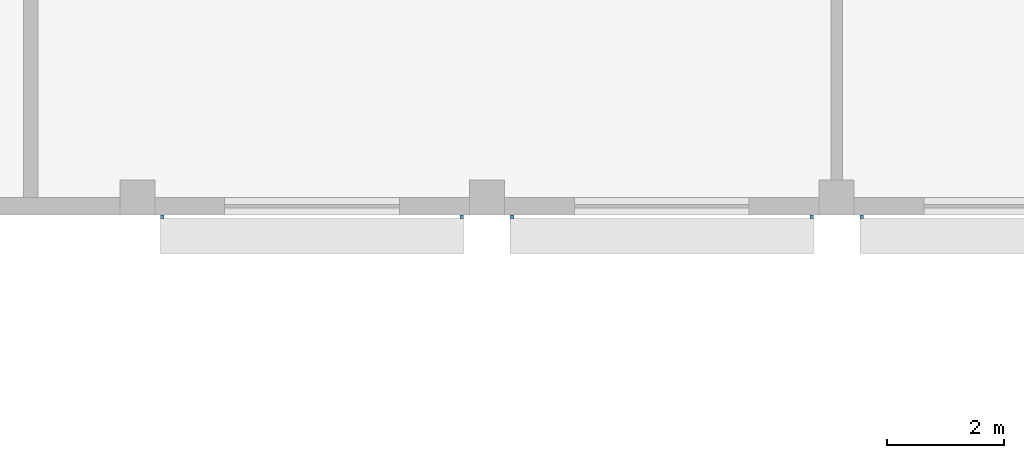
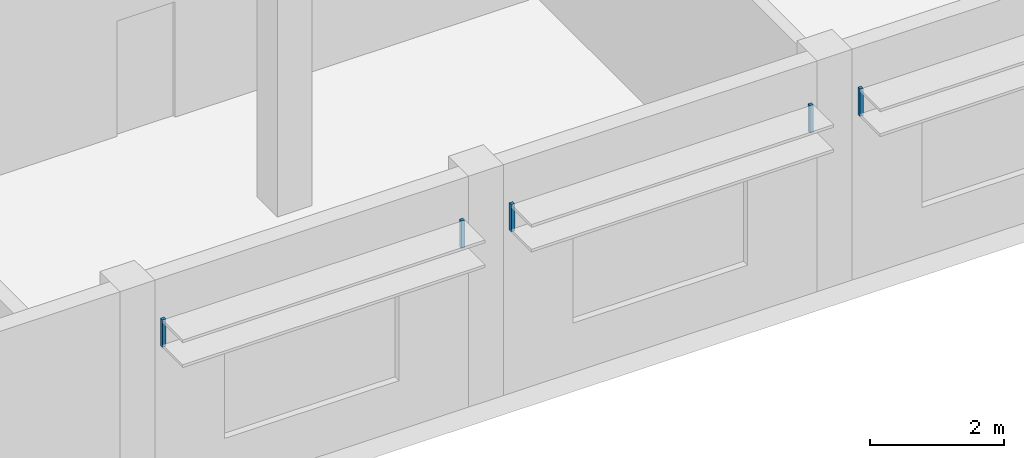
# One storey, part 27 of 45: 5 discrete accessories.
"""IFC4 building model written with IfcOpenShell, lengths in metres."""

import ifcopenshell
import ifcopenshell.guid

model = None  # the IFC model being written
_history = None  # IfcOwnerHistory: only IFC2X3 demands one
_inside = {}  # id of a spatial element -> (the spatial element, [elements in it])
_under = {}  # id of a project, library or spatial element -> (it, [spatial elements below it])
_declared = {}  # id of a project -> (the project, [libraries it declares])
_typed = {}  # id of a type object -> (the type object, [elements of that type])
_made_of = {}  # id of a material, layer set ... -> (it, [elements and type objects made of it])


def new_model(schema):
    """Start an empty IFC model of exactly this schema.

    Asked for "IFC4X3", IfcOpenShell would pick the latest addendum, in which some entities
    have other attributes; the version numbers below select the first issue.
    IFC2X3 requires an IfcOwnerHistory on every rooted entity: one is made here for all.
    """
    global model, _history
    if schema == "IFC4X3":
        model = ifcopenshell.file(schema_version=(4, 3, 0, 0))
    else:
        model = ifcopenshell.file(schema=schema)
    _inside.clear()
    _under.clear()
    _declared.clear()
    _typed.clear()
    _made_of.clear()
    _history = None
    if model.schema == "IFC2X3":
        org = make("IfcOrganization", Name="unknown")
        user = make(
            "IfcPersonAndOrganization",
            ThePerson=make("IfcPerson", FamilyName="unknown"),
            TheOrganization=org,
        )
        app = make(
            "IfcApplication",
            ApplicationDeveloper=org,
            Version="unknown",
            ApplicationFullName="unknown",
            ApplicationIdentifier="unknown",
        )
        _history = make(
            "IfcOwnerHistory",
            OwningUser=user,
            OwningApplication=app,
            ChangeAction="ADDED",
            CreationDate=0,
        )
    return model


def make(cls, **values):
    """One entity of the class cls with the attributes given. An attribute that is None is left unset."""
    return model.create_entity(
        cls, **{name: value for name, value in values.items() if value is not None}
    )


def rooted(cls, **values):
    """An entity with a GlobalId (a new one), such as an element, a storey or a relation."""
    return make(cls, GlobalId=ifcopenshell.guid.new(), OwnerHistory=_history, **values)


def si_unit(unit_type, name, prefix=None):
    """IfcSIUnit, for example si_unit("LENGTHUNIT", "METRE", prefix="MILLI")."""
    return make("IfcSIUnit", UnitType=unit_type, Prefix=prefix, Name=name)


def assignment(units):
    """IfcUnitAssignment: the units of a project."""
    return None if units is None else make("IfcUnitAssignment", Units=units)


def point(xyz):
    """IfcCartesianPoint."""
    return None if xyz is None else make("IfcCartesianPoint", Coordinates=xyz)


def direction(xyz):
    """IfcDirection."""
    return None if xyz is None else make("IfcDirection", DirectionRatios=xyz)


def frame(location, z_axis=None, x_axis=None):
    """IfcAxis2Placement3D, a coordinate frame: its origin and axes. An axis left out is left unset."""
    return make(
        "IfcAxis2Placement3D",
        Location=point(location),
        Axis=direction(z_axis),
        RefDirection=direction(x_axis),
    )


def frame_2d(location, x_axis=None):
    """IfcAxis2Placement2D, a coordinate frame in the plane: its origin and x axis."""
    return make(
        "IfcAxis2Placement2D", Location=point(location), RefDirection=direction(x_axis)
    )


def origin():
    """The frame at (0, 0, 0) with its axes left unset."""
    return frame((0.0, 0.0, 0.0))


def origin_2d():
    """The frame at (0, 0) in the plane with its x axis left unset."""
    return frame_2d((0.0, 0.0))


def place(relative_to, where):
    """IfcLocalPlacement: puts the frame where relative to a parent placement (None: the world)."""
    return make(
        "IfcLocalPlacement", PlacementRelTo=relative_to, RelativePlacement=where
    )


def context(
    kind, dimensions, precision=None, world=None, true_north=None, identifier=None
):
    """IfcGeometricRepresentationContext, for example the 3D "Model" context."""
    return make(
        "IfcGeometricRepresentationContext",
        ContextIdentifier=identifier,
        ContextType=kind,
        CoordinateSpaceDimension=dimensions,
        Precision=precision,
        WorldCoordinateSystem=world,
        TrueNorth=true_north,
    )


def subcontext(parent, identifier, kind, view, scale=None):
    """IfcGeometricRepresentationSubContext, for example "Body" below "Model"."""
    return make(
        "IfcGeometricRepresentationSubContext",
        ContextIdentifier=identifier,
        ContextType=kind,
        ParentContext=parent,
        TargetScale=scale,
        TargetView=view,
    )


def project(units=None, contexts=None):
    """IfcProject with its units and contexts."""
    return rooted(
        "IfcProject",
        Name="project",
        RepresentationContexts=contexts,
        UnitsInContext=assignment(units),
    )


def spatial(cls, under=None, at=None, **own):
    """A site, building, storey or space (cls), placed at a placement, below another one or the project."""
    s = rooted(cls, ObjectPlacement=at, **own)
    if under is not None:
        _under.setdefault(under.id(), (under, []))[1].append(s)
    return s


def profile(cls, at=None, kind="AREA", **sizes):
    """A parametric profile (cls). Its sizes go by their IFC names, for example OverallWidth=200.0."""
    return make(cls, ProfileType=kind, Position=at, **sizes)


def rectangle(**sizes):
    """IfcRectangleProfileDef."""
    return profile("IfcRectangleProfileDef", **sizes)


def extrude(swept, where, along, depth):
    """IfcExtrudedAreaSolid: the profile swept, set in the frame where, extruded along a direction by depth."""
    return make(
        "IfcExtrudedAreaSolid",
        SweptArea=swept,
        Position=where,
        ExtrudedDirection=direction(along),
        Depth=depth,
    )


def shape(context_of_items, identifier, shape_type, items):
    """IfcShapeRepresentation: the items that make up one representation, for example the "Body"."""
    return make(
        "IfcShapeRepresentation",
        ContextOfItems=context_of_items,
        RepresentationIdentifier=identifier,
        RepresentationType=shape_type,
        Items=items,
    )


def material(Name=None, Category=None):
    """IfcMaterial."""
    return make("IfcMaterial", Name=Name, Category=Category)


def made_of(thing, what):
    """Note that an element or type object is made of a material, layer set ...; save() writes the relation."""
    if what is not None:
        _made_of.setdefault(what.id(), (what, []))[1].append(thing)
    return thing


def type_object(cls, material=None, **own):
    """A type object (cls), such as IfcWallType, which elements share."""
    return made_of(rooted(cls, **own), material)


def element(
    cls,
    number,
    at=None,
    inside=None,
    cuts=None,
    type_object=None,
    material=None,
    context=None,
    identifier="Body",
    shape_type=None,
    held_by="IfcProductDefinitionShape",
    body=None,
    shapes=None,
    **own,
):
    """One element of the class cls, such as IfcWall. Its Tag is "e" and its number.

    at: its placement. inside: the storey or other place that contains it. cuts: it is an
    opening in that element (IfcRelVoidsElement). A single representation is given by context,
    identifier, shape_type and body (its items); several are given by shapes. held_by: the class
    of the entity that holds the representations. save() writes the other relations.
    """
    e = rooted(cls, Tag="e%d" % number, ObjectPlacement=at, **own)
    if body is not None:
        shapes = [shape(context, identifier, shape_type, body)]
    if shapes is not None:
        e.Representation = make(held_by, Representations=shapes)
    if inside is not None:
        _inside.setdefault(inside.id(), (inside, []))[1].append(e)
    if cuts is not None:
        rooted(
            "IfcRelVoidsElement", RelatingBuildingElement=cuts, RelatedOpeningElement=e
        )
    if type_object is not None:
        _typed.setdefault(type_object.id(), (type_object, []))[1].append(e)
    return made_of(e, material)


def aggregate(whole, parts):
    """IfcRelAggregates: a whole, such as a stair, and the parts it consists of."""
    return rooted("IfcRelAggregates", RelatingObject=whole, RelatedObjects=parts)


def save(model, path):
    """Write the relations noted so far, then the file.

    IfcRelAggregates (storeys below a building ...), IfcRelContainedInSpatialStructure (elements
    in a storey), IfcRelDefinesByType, IfcRelAssociatesMaterial and IfcRelDeclares: one each for
    every whole, place, type object, material and project.
    """
    for whole, parts in _under.values():
        aggregate(whole, parts)
    for where, things in _inside.values():
        rooted(
            "IfcRelContainedInSpatialStructure",
            RelatedElements=things,
            RelatingStructure=where,
        )
    for kind, things in _typed.values():
        rooted("IfcRelDefinesByType", RelatedObjects=things, RelatingType=kind)
    for what, things in _made_of.values():
        rooted("IfcRelAssociatesMaterial", RelatedObjects=things, RelatingMaterial=what)
    for by, libraries in _declared.values():
        rooted("IfcRelDeclares", RelatingContext=by, RelatedDefinitions=libraries)
    model.write(path)


model = new_model("IFC4")

# Units and contexts
model_context = context("Model", 3, precision=1e-05, world=origin(), true_north=direction((0.0, 1.0)))
body_context = subcontext(model_context, "Body", "Model", "MODEL_VIEW")
ifc_project = project(units=[si_unit("LENGTHUNIT", "METRE"), si_unit("AREAUNIT", "SQUARE_METRE"), si_unit("VOLUMEUNIT", "CUBIC_METRE"), si_unit("PLANEANGLEUNIT", "RADIAN"), si_unit("MASSUNIT", "GRAM", prefix="KILO")], contexts=[model_context])

# Site, building, storey
site_placement = place(None, origin())
site = spatial("IfcSite", under=ifc_project, at=site_placement, CompositionType="ELEMENT")
building_placement = place(site_placement, origin())
building = spatial("IfcBuilding", under=site, at=building_placement, Name="Nakaniwa Court", CompositionType="ELEMENT")
storey_placement = place(building_placement, frame((0.0, 0.0, 11.39990234375)))
storey = spatial("IfcBuildingStorey", under=building, at=storey_placement, Name="L02", CompositionType="ELEMENT", Elevation=11.39990234375)

# Discrete accessories
ifc_material = material(Name="Black powder-coated steel bracket S275", Category="steel")
discrete_accessory_type = type_object("IfcDiscreteAccessoryType", Name="Hall black metal louvre bracket", PredefinedType="BRACKET", material=ifc_material)
for number, where, z_axis, x_axis, name in (
    (1, (170.429931640625, 55.969970703125, 2.97509765625), (0.0, 0.0, 1.0), (-1.0, 0.0, 0.0), "Louvre bracket L02 038.2"),
    (2, (169.570068359375, 55.969970703125, 2.97509765625), (0.0, 0.0, 1.0), (-1.0, 0.0, 0.0), "Louvre bracket L02 039.1"),
    (3, (164.429931640625, 55.969970703125, 2.97509765625), (0.0, 0.0, 1.0), (-1.0, 0.0, 0.0), "Louvre bracket L02 039.2"),
    (4, (163.570068359375, 55.969970703125, 2.97509765625), (0.0, 0.0, 1.0), (-1.0, 0.0, 0.0), "Louvre bracket L02 040.1"),
    (5, (158.429931640625, 55.969970703125, 2.97509765625), (0.0, 0.0, 1.0), (-1.0, 0.0, 0.0), "Louvre bracket L02 040.2"),
):
    element("IfcDiscreteAccessory", number, at=place(storey_placement, frame(where, z_axis=z_axis, x_axis=x_axis)), inside=storey, type_object=discrete_accessory_type, Name=name, PredefinedType="BRACKET", context=body_context, shape_type="SweptSolid", body=[
        extrude(rectangle(XDim=0.06005859375, YDim=0.06005859375, at=origin_2d()), origin(), (0.0, 0.0, 1.0), 0.5),
    ])

save(model, "model.ifc")
